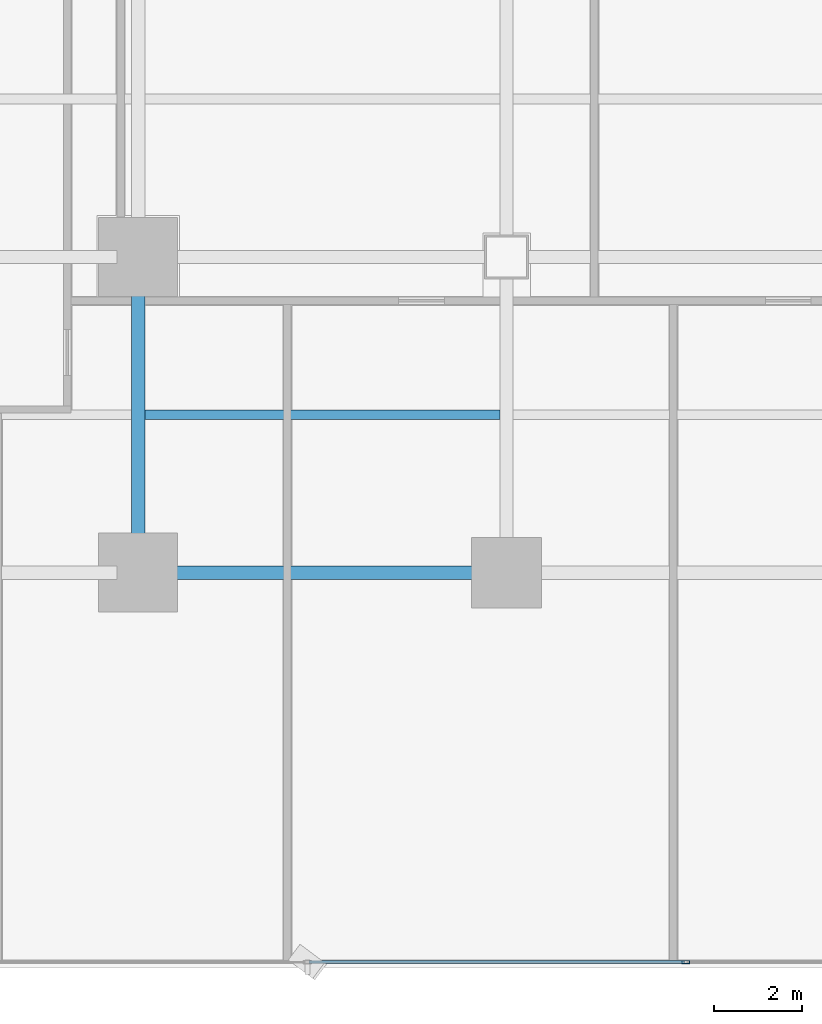
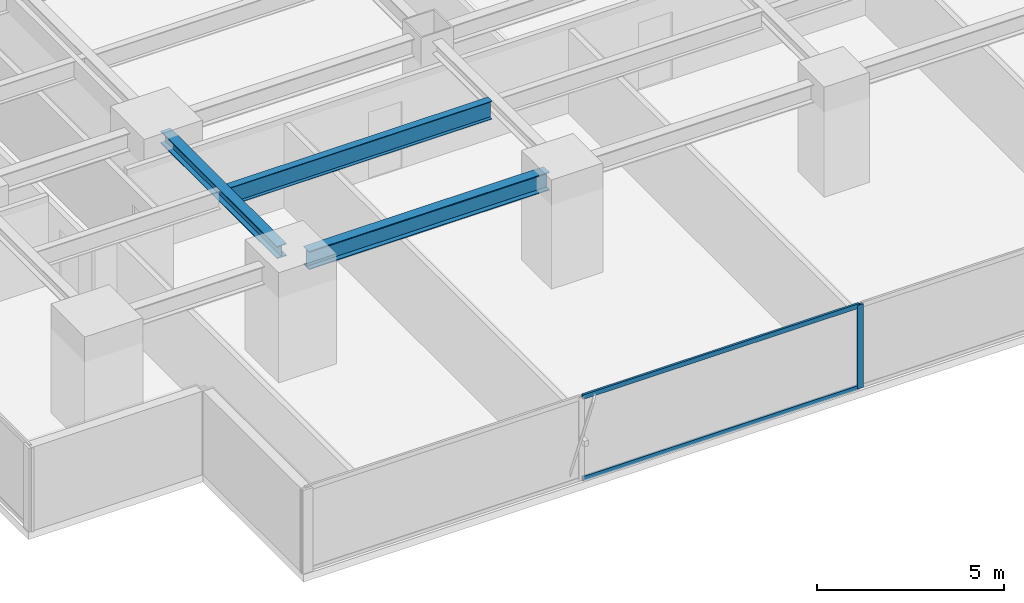
# One storey, part 4 of 33: 3 beams, 3 members, 1 element without a shape of its own.
"""IFC4 building model written with IfcOpenShell, lengths in metres."""

from ifc_helpers import new_model, si_unit, direction, frame, origin, origin_2d, place, context, subcontext, project, spatial, hollow_rectangle, i_section, extrude, source, transform, mapped, material, layer, layer_set, material_profile, profile_set, type_object, element, aggregate, save


model = new_model("IFC4")

# Units and contexts
model_context = context("Model", 3, precision=1e-05, world=origin(), true_north=direction((0.0, 1.0)))
body_context = subcontext(model_context, "Body", "Model", "MODEL_VIEW")
ifc_project = project(units=[si_unit("LENGTHUNIT", "METRE"), si_unit("AREAUNIT", "SQUARE_METRE"), si_unit("VOLUMEUNIT", "CUBIC_METRE"), si_unit("PLANEANGLEUNIT", "RADIAN"), si_unit("MASSUNIT", "GRAM", prefix="KILO")], contexts=[model_context])

# Site, building, storey
site_placement = place(None, origin())
site = spatial("IfcSite", under=ifc_project, at=site_placement, CompositionType="ELEMENT")
building_placement = place(site_placement, origin())
building = spatial("IfcBuilding", under=site, at=building_placement, Name="Sumidabori Civic Tower", CompositionType="ELEMENT")
storey_placement = place(building_placement, frame((0.0, 0.0, 59.60009765625)))
storey = spatial("IfcBuildingStorey", under=building, at=storey_placement, Name="L15", CompositionType="ELEMENT", Elevation=59.60009765625)

# Beams
ifc_material_1 = material(Name="Steel SN490", Category="steel")
ifc_material_profile_1 = material_profile(ifc_material_1, i_section(OverallWidth=0.300048828125, OverallDepth=0.60009765625, WebThickness=0.015380859375, FlangeThickness=0.030029296875, at=origin_2d()), Name="HE 600 B")
ifc_profile_set_1 = profile_set([ifc_material_profile_1], Name="Steel SN490")
beam_type_1 = type_object("IfcBeamType", Name="BM-GIRD-600", PredefinedType="BEAM", material=ifc_profile_set_1)
shared_shape_1 = source(origin(), body_context, "Body", "SweptSolid", [
    extrude(i_section(OverallWidth=0.300048828125, OverallDepth=0.60009765625, WebThickness=0.015380859375, FlangeThickness=0.030029296875, at=origin_2d()), origin(), (0.0, 0.0, 1.0), 7.440185546875),
])
beam_1_placement = place(storey_placement, frame((-16.320068359375, -18.0, 3.059814453125), z_axis=(1.0, 0.0, 0.0), x_axis=(0.0, 1.0, 0.0)))
element("IfcBeam", 1, at=beam_1_placement, inside=storey, type_object=beam_type_1, Name="Primary Girder L15 GX-02", PredefinedType="BEAM", context=body_context, shape_type="MappedRepresentation", body=[
    mapped(shared_shape_1, transform((0.0, 0.0, 0.0), x_axis=(1.0, 0.0, 0.0), y_axis=(0.0, 1.0, 0.0), z_axis=(0.0, 0.0, 1.0), scale=1.0)),
])
ifc_material_profile_2 = material_profile(ifc_material_1, i_section(OverallWidth=0.300048828125, OverallDepth=0.39990234375, WebThickness=0.013427734375, FlangeThickness=0.02392578125, at=origin_2d()), Name="HE 400 B")
ifc_profile_set_2 = profile_set([ifc_material_profile_2], Name="Steel SN490")
beam_type_2 = type_object("IfcBeamType", Name="BM-GIRD-400", PredefinedType="BEAM", material=ifc_profile_set_2)
shared_shape_2 = source(origin(), body_context, "Body", "SweptSolid", [
    extrude(i_section(OverallWidth=0.300048828125, OverallDepth=0.39990234375, WebThickness=0.013427734375, FlangeThickness=0.02392578125, at=origin_2d()), origin(), (0.0, 0.0, 1.0), 6.239990234375),
])
beam_2_placement = place(storey_placement, frame((-16.800048828125, -17.52001953125, 3.159912109375), z_axis=(0.0, 1.0, 0.0), x_axis=(-1.0, 0.0, 0.0)))
element("IfcBeam", 2, at=beam_2_placement, inside=storey, type_object=beam_type_2, Name="Primary Girder L15 GY-25", PredefinedType="BEAM", context=body_context, shape_type="MappedRepresentation", body=[
    mapped(shared_shape_2, transform((0.0, 0.0, 0.0), x_axis=(1.0, 0.0, 0.0), y_axis=(0.0, 1.0, 0.0), z_axis=(0.0, 0.0, 1.0), scale=1.0)),
])
ifc_material_profile_3 = material_profile(ifc_material_1, i_section(OverallWidth=0.219970703125, OverallDepth=0.60009765625, WebThickness=0.011962890625, FlangeThickness=0.01904296875, at=origin_2d()), Name="IPE 600")
ifc_profile_set_3 = profile_set([ifc_material_profile_3], Name="Steel SN490")
beam_type_3 = type_object("IfcBeamType", Name="BM-JST-600", PredefinedType="JOIST", material=ifc_profile_set_3)
shared_shape_3 = source(origin(), body_context, "Body", "SweptSolid", [
    extrude(i_section(OverallWidth=0.219970703125, OverallDepth=0.60009765625, WebThickness=0.011962890625, FlangeThickness=0.01904296875, at=origin_2d()), origin(), (0.0, 0.0, 1.0), 8.099853515625),
])
beam_3_placement = place(storey_placement, frame((-16.64990234375, -14.39990234375, 3.059814453125), z_axis=(1.0, 0.0, 0.0), x_axis=(0.0, 1.0, 0.0)))
element("IfcBeam", 3, at=beam_3_placement, inside=storey, type_object=beam_type_3, Name="South Bay Floor Joist L15 JSTS-61", PredefinedType="JOIST", context=body_context, shape_type="MappedRepresentation", body=[
    mapped(shared_shape_3, transform((0.0, 0.0, 0.0), x_axis=(1.0, 0.0, 0.0), y_axis=(0.0, 1.0, 0.0), z_axis=(0.0, 0.0, 1.0), scale=1.0)),
])

# Curtain wall, members
ifc_material_2 = material(Name="Anodised Bronze Aluminium AW-6063-T6", Category="aluminium")
ifc_layer = layer(ifc_material_2, 0.179931640625, Name="Anodised Bronze Aluminium AW-6063-T6")
ifc_layer_set = layer_set([ifc_layer], Name="Anodised Bronze Aluminium AW-6063-T6")
curtain_wall_type = type_object("IfcCurtainWallType", Name="CW-SYS-2", PredefinedType="NOTDEFINED", material=ifc_layer_set)
curtain_wall_placement = place(storey_placement, origin())
curtain_wall = element("IfcCurtainWall", 4, at=curtain_wall_placement, inside=storey, type_object=curtain_wall_type, Name="Curtain Wall CW:L15:R01", PredefinedType="NOTDEFINED")
ifc_material_profile_4 = material_profile(ifc_material_2, hollow_rectangle(XDim=0.070068359375, YDim=0.179931640625, WallThickness=0.006103515625, at=origin_2d()), Name="ALU MULLION 180x70")
ifc_profile_set_4 = profile_set([ifc_material_profile_4], Name="Anodised Bronze Aluminium AW-6063-T6")
member_type_1 = type_object("IfcMemberType", Name="CW-MUL-180", PredefinedType="MULLION", material=ifc_profile_set_4)
shared_shape_4 = source(origin(), body_context, "Body", "SweptSolid", [
    extrude(hollow_rectangle(XDim=0.070068359375, YDim=0.179931640625, WallThickness=0.006103515625, at=origin_2d()), origin(), (0.0, 0.0, 1.0), 2.739990234375),
])
member_1_placement = place(storey_placement, frame((-4.31396484375, -26.8798828125, 0.0), z_axis=(0.0, 0.0, 1.0), x_axis=(0.0, 1.0, 0.0)))
member_1 = element("IfcMember", 5, at=member_1_placement, type_object=member_type_1, Name="CW-2 mullion 3", PredefinedType="MULLION", context=body_context, shape_type="MappedRepresentation", body=[
    mapped(shared_shape_4, transform((0.0, 0.0, 0.0), x_axis=(1.0, 0.0, 0.0), y_axis=(0.0, 1.0, 0.0), z_axis=(0.0, 0.0, 1.0), scale=1.0)),
])
ifc_material_profile_5 = material_profile(ifc_material_2, hollow_rectangle(XDim=0.06494140625, YDim=0.14990234375, WallThickness=0.0048828125, at=origin_2d()), Name="ALU TRANSOM 150x65")
ifc_profile_set_5 = profile_set([ifc_material_profile_5], Name="Anodised Bronze Aluminium AW-6063-T6")
member_type_2 = type_object("IfcMemberType", Name="CW-TRN-150", PredefinedType="USERDEFINED", material=ifc_profile_set_5)
shared_shape_5 = source(origin(), body_context, "Body", "SweptSolid", [
    extrude(hollow_rectangle(XDim=0.06494140625, YDim=0.14990234375, WallThickness=0.0048828125, at=origin_2d()), origin(), (0.0, 0.0, 1.0), 8.557861328125),
])
member_2_placement = place(storey_placement, frame((-12.906982421875, -26.8798828125, 0.032470703125), z_axis=(1.0, 0.0, 0.0), x_axis=(0.0, 1.0, 0.0)))
member_2 = element("IfcMember", 6, at=member_2_placement, type_object=member_type_2, Name="CW-2 transom 2.1", ObjectType="TRANSOM", PredefinedType="USERDEFINED", context=body_context, shape_type="MappedRepresentation", body=[
    mapped(shared_shape_5, transform((0.0, 0.0, 0.0), x_axis=(1.0, 0.0, 0.0), y_axis=(0.0, 1.0, 0.0), z_axis=(0.0, 0.0, 1.0), scale=1.0)),
])
member_3_placement = place(storey_placement, frame((-12.906982421875, -26.8798828125, 2.70751953125), z_axis=(1.0, 0.0, 0.0), x_axis=(0.0, 1.0, 0.0)))
member_3 = element("IfcMember", 7, at=member_3_placement, type_object=member_type_2, Name="CW-2 transom 2.2", ObjectType="TRANSOM", PredefinedType="USERDEFINED", context=body_context, shape_type="MappedRepresentation", body=[
    mapped(shared_shape_5, transform((0.0, 0.0, 0.0), x_axis=(1.0, 0.0, 0.0), y_axis=(0.0, 1.0, 0.0), z_axis=(0.0, 0.0, 1.0), scale=1.0)),
])
aggregate(curtain_wall, [member_1, member_2, member_3])

save(model, "model.ifc")
